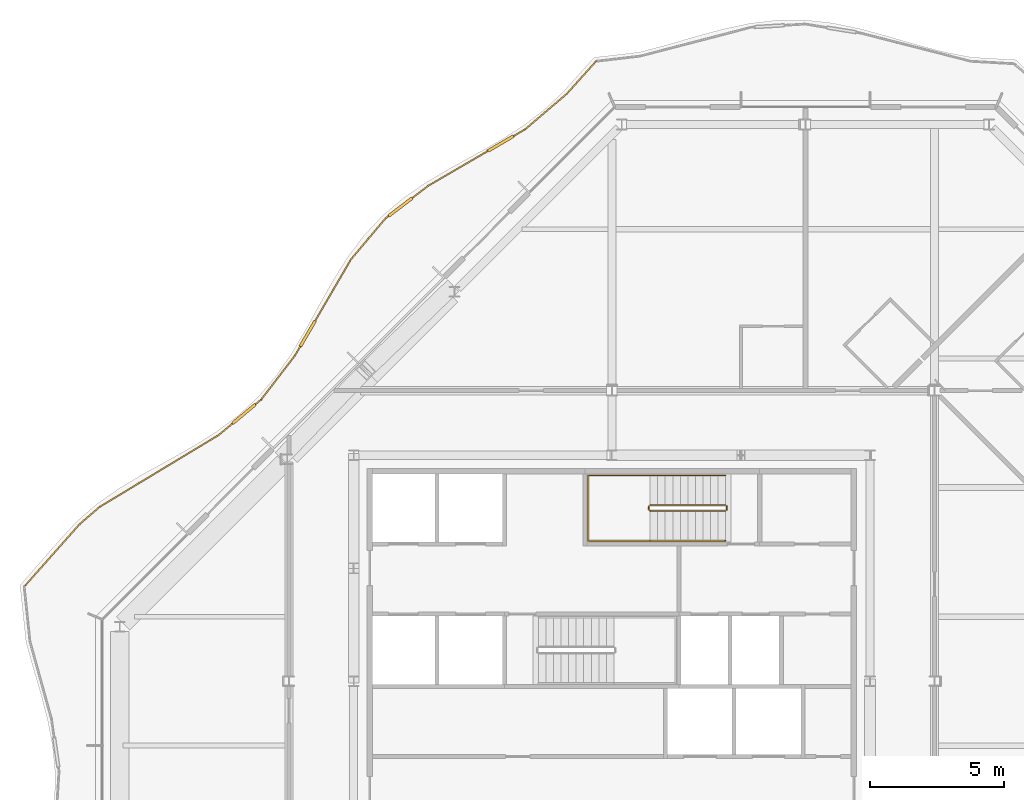
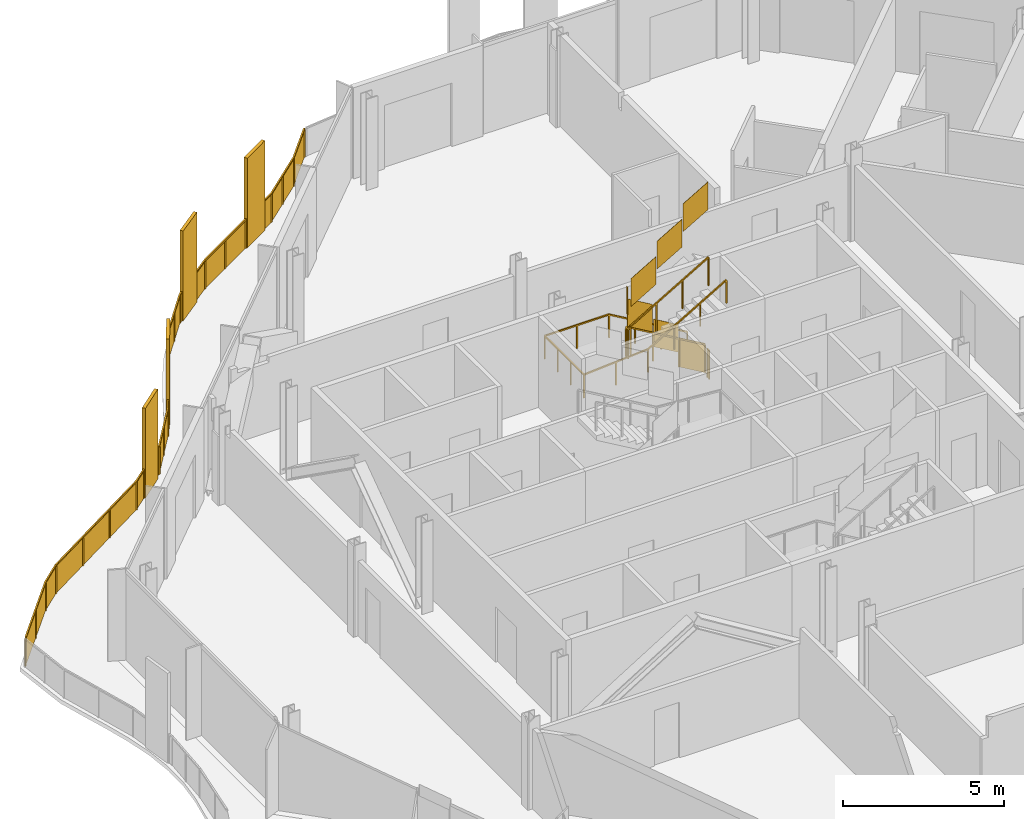
# One storey, part 15 of 16: 4 railings.
"""IFC4 building model written with IfcOpenShell, lengths in metres."""

from ifc_helpers import new_model, si_unit, direction, frame, origin, origin_2d, place, context, subcontext, project, spatial, polyline, rectangle, outline, extrude, material, type_object, element, save


model = new_model("IFC4")

# Units and contexts
model_context = context("Model", 3, precision=1e-05, world=origin(), true_north=direction((0.0, 1.0)))
body_context = subcontext(model_context, "Body", "Model", "MODEL_VIEW")
ifc_project = project(units=[si_unit("LENGTHUNIT", "METRE"), si_unit("AREAUNIT", "SQUARE_METRE"), si_unit("VOLUMEUNIT", "CUBIC_METRE"), si_unit("PLANEANGLEUNIT", "RADIAN"), si_unit("MASSUNIT", "GRAM", prefix="KILO")], contexts=[model_context])

# Site, building, storey
site_placement = place(None, origin())
site = spatial("IfcSite", under=ifc_project, at=site_placement, CompositionType="ELEMENT")
building_placement = place(site_placement, origin())
building = spatial("IfcBuilding", under=site, at=building_placement, Name="Cairn Pilgrim Tower", CompositionType="ELEMENT")
storey_placement = place(building_placement, frame((0.0, 0.0, 277.800048828125)))
storey = spatial("IfcBuildingStorey", under=building, at=storey_placement, Name="L71", CompositionType="ELEMENT", Elevation=277.800048828125)

# Railings
ifc_material_1 = material(Name="Bronze anodised aluminium rail, posts and fin screens with laminated glass infill", Category="aluminium")
railing_type_1 = type_object("IfcRailingType", Name="BALCONY GUARD WITH FIN SCREENS", PredefinedType="GUARDRAIL", material=ifc_material_1)
railing_1_placement = place(storey_placement, frame((6.613037109375, 25.452392578125, 0.0)))
element("IfcRailing", 1, at=railing_1_placement, inside=storey, type_object=railing_type_1, Name="Balcony guard BGF-6 with fin screens", PredefinedType="GUARDRAIL", context=body_context, shape_type="SweptSolid", body=[
    extrude(rectangle(XDim=0.050048828125, YDim=0.050048828125, at=origin_2d()), frame((0.0, 0.0, 1.0751953125), z_axis=(-0.667916155588, -0.74423652766, 0.0), x_axis=(0.74423652766, -0.667916155588, 0.0)), (0.0, 0.0, 1.0), 1.621826171875),
    extrude(rectangle(XDim=0.050048828125, YDim=0.050048828125, at=origin_2d()), frame((-1.083251953125, -1.20703125, 1.0751953125), z_axis=(-0.761085754894, -0.648651272794, 0.0), x_axis=(0.648651272794, -0.761085754894, 0.0)), (0.0, 0.0, 1.0), 2.041015625),
    extrude(rectangle(XDim=1.10009765625, YDim=0.110107421875, at=origin_2d()), frame((-3.544677734375, -3.060546875, 0.0), z_axis=(0.0, 0.0, 1.0), x_axis=(-0.863876705072, -0.503703323827, 0.0)), (0.0, 0.0, 1.0), 3.39990234375),
    extrude(rectangle(XDim=0.050048828125, YDim=0.050048828125, at=origin_2d()), frame((-2.63671875, -2.531005859375, 1.0751953125), z_axis=(-0.863876705072, -0.503703323827, 0.0), x_axis=(0.503703323827, -0.863876705072, 0.0)), (0.0, 0.0, 1.0), 0.501220703125),
    extrude(rectangle(XDim=0.050048828125, YDim=0.050048828125, at=origin_2d()), frame((-4.02001953125, -3.33740234375, 1.0751953125), z_axis=(-0.863876705072, -0.503703323827, 0.0), x_axis=(0.503703323827, -0.863876705072, 0.0)), (0.0, 0.0, 1.0), 2.562744140625),
    extrude(rectangle(XDim=1.10009765625, YDim=0.110107421875, at=origin_2d()), frame((-7.271240234375, -5.418701171875, 0.0), z_axis=(0.0, 0.0, 1.0), x_axis=(-0.795459687012, -0.606006506846, 0.0)), (0.0, 0.0, 1.0), 3.39990234375),
    extrude(rectangle(XDim=0.050048828125, YDim=0.050048828125, at=origin_2d()), frame((-6.23388671875, -4.62841796875, 1.0751953125), z_axis=(-0.795459687012, -0.606006506846, 0.0), x_axis=(0.606006506846, -0.795459687012, 0.0)), (0.0, 0.0, 1.0), 0.75390625),
    extrude(rectangle(XDim=0.050048828125, YDim=0.050048828125, at=origin_2d()), frame((-7.708740234375, -5.751953125, 1.0751953125), z_axis=(-0.795459687012, -0.606006506846, 0.0), x_axis=(0.606006506846, -0.795459687012, 0.0)), (0.0, 0.0, 1.0), 0.14990234375),
    extrude(rectangle(XDim=0.050048828125, YDim=0.050048828125, at=origin_2d()), frame((-7.827880859375, -5.8427734375, 1.0751953125), z_axis=(-0.64500088209, -0.764181825289, 0.0), x_axis=(0.764181825289, -0.64500088209, 0.0)), (0.0, 0.0, 1.0), 1.989013671875),
    extrude(rectangle(XDim=1.10009765625, YDim=0.110107421875, at=origin_2d()), frame((-10.72265625, -10.13037109375, 0.0), z_axis=(0.0, 0.0, 1.0), x_axis=(-0.503275672429, -0.864125915328, 0.0)), (0.0, 0.0, 1.0), 3.39990234375),
    extrude(rectangle(XDim=0.050048828125, YDim=0.050048828125, at=origin_2d()), frame((-9.11083984375, -7.36279296875, 1.0751953125), z_axis=(-0.503275672429, -0.864125915328, 0.0), x_axis=(0.864125915328, -0.503275672429, 0.0)), (0.0, 0.0, 1.0), 2.65283203125),
    extrude(rectangle(XDim=0.050048828125, YDim=0.050048828125, at=origin_2d()), frame((-10.99951171875, -10.605712890625, 1.0751953125), z_axis=(-0.503275672429, -0.864125915328, 0.0), x_axis=(0.864125915328, -0.503275672429, 0.0)), (0.0, 0.0, 1.0), 0.404052734375),
    extrude(rectangle(XDim=0.050048828125, YDim=0.050048828125, at=origin_2d()), frame((-11.202880859375, -10.954833984375, 1.0751953125), z_axis=(-0.60959590055, -0.792712329936, 0.0), x_axis=(0.792712329936, -0.60959590055, 0.0)), (0.0, 0.0, 1.0), 2.054443359375),
    extrude(rectangle(XDim=1.10009765625, YDim=0.110107421875, at=origin_2d()), frame((-13.09033203125, -13.1142578125, 0.0), z_axis=(0.0, 0.0, 1.0), x_axis=(-0.767311542051, -0.641274510202, 0.0)), (0.0, 0.0, 1.0), 3.39990234375),
    extrude(rectangle(XDim=0.050048828125, YDim=0.050048828125, at=origin_2d()), frame((-12.455322265625, -12.58349609375, 1.0751953125), z_axis=(-0.767311542051, -0.641274510202, 0.0), x_axis=(0.641274510202, -0.767311542051, 0.0)), (0.0, 0.0, 1.0), 0.277587890625),
    extrude(rectangle(XDim=0.050048828125, YDim=0.050048828125, at=origin_2d()), frame((-13.512451171875, -13.467041015625, 1.0751953125), z_axis=(-0.767311542051, -0.641274510202, 0.0), x_axis=(0.641274510202, -0.767311542051, 0.0)), (0.0, 0.0, 1.0), 0.669921875),
    extrude(rectangle(XDim=0.050048828125, YDim=0.050048828125, at=origin_2d()), frame((-14.0263671875, -13.896484375, 1.0751953125), z_axis=(-0.855991615861, -0.516989703548, 0.0), x_axis=(0.516989703548, -0.855991615861, 0.0)), (0.0, 0.0, 1.0), 5.177978515625),
    extrude(rectangle(XDim=0.050048828125, YDim=0.050048828125, at=origin_2d()), frame((-18.458740234375, -16.573486328125, 1.0751953125), z_axis=(-0.757663332249, -0.652645596756, 0.0), x_axis=(0.652645596756, -0.757663332249, 0.0)), (0.0, 0.0, 1.0), 0.985595703125),
    extrude(rectangle(XDim=0.050048828125, YDim=0.050048828125, at=origin_2d()), frame((-19.20556640625, -17.216796875, 1.0751953125), z_axis=(-0.663666711646, -0.74802840578, 0.0), x_axis=(0.74802840578, -0.663666711646, 0.0)), (0.0, 0.0, 1.0), 3.04443359375),
    extrude(rectangle(XDim=0.050048828125, YDim=0.050048828125, at=origin_2d()), origin(), (0.0, 0.0, 1.0), 1.050048828125),
    extrude(rectangle(XDim=0.050048828125, YDim=0.050048828125, at=origin_2d()), frame((-1.083251953125, -1.20703125, 0.0)), (0.0, 0.0, 1.0), 1.050048828125),
    extrude(rectangle(XDim=0.050048828125, YDim=0.050048828125, at=origin_2d()), frame((-1.85986328125, -1.869140625, 0.0)), (0.0, 0.0, 1.0), 1.050048828125),
    extrude(rectangle(XDim=0.050048828125, YDim=0.050048828125, at=origin_2d()), frame((-2.63671875, -2.531005859375, 0.0)), (0.0, 0.0, 1.0), 1.050048828125),
    extrude(rectangle(XDim=0.050048828125, YDim=0.050048828125, at=origin_2d()), frame((-3.048095703125, -2.770751953125, 0.0)), (0.0, 0.0, 1.0), 1.050048828125),
    extrude(rectangle(XDim=0.050048828125, YDim=0.050048828125, at=origin_2d()), frame((-4.04150390625, -3.35009765625, 0.0)), (0.0, 0.0, 1.0), 1.050048828125),
    extrude(rectangle(XDim=0.050048828125, YDim=0.050048828125, at=origin_2d()), frame((-5.1376953125, -3.9892578125, 0.0)), (0.0, 0.0, 1.0), 1.050048828125),
    extrude(rectangle(XDim=0.050048828125, YDim=0.050048828125, at=origin_2d()), frame((-6.23388671875, -4.62841796875, 0.0)), (0.0, 0.0, 1.0), 1.050048828125),
    extrude(rectangle(XDim=0.050048828125, YDim=0.050048828125, at=origin_2d()), frame((-6.813720703125, -5.070068359375, 0.0)), (0.0, 0.0, 1.0), 1.050048828125),
    extrude(rectangle(XDim=0.050048828125, YDim=0.050048828125, at=origin_2d()), frame((-7.728515625, -5.76708984375, 0.0)), (0.0, 0.0, 1.0), 1.050048828125),
    extrude(rectangle(XDim=0.050048828125, YDim=0.050048828125, at=origin_2d()), frame((-7.827880859375, -5.8427734375, 0.0)), (0.0, 0.0, 1.0), 1.050048828125),
    extrude(rectangle(XDim=0.050048828125, YDim=0.050048828125, at=origin_2d()), frame((-8.46923828125, -6.602783203125, 0.0)), (0.0, 0.0, 1.0), 1.050048828125),
    extrude(rectangle(XDim=0.050048828125, YDim=0.050048828125, at=origin_2d()), frame((-9.11083984375, -7.36279296875, 0.0)), (0.0, 0.0, 1.0), 1.050048828125),
    extrude(rectangle(XDim=0.050048828125, YDim=0.050048828125, at=origin_2d()), frame((-9.77197265625, -8.498046875, 0.0)), (0.0, 0.0, 1.0), 1.050048828125),
    extrude(rectangle(XDim=0.050048828125, YDim=0.050048828125, at=origin_2d()), frame((-10.433349609375, -9.633544921875, 0.0)), (0.0, 0.0, 1.0), 1.050048828125),
    extrude(rectangle(XDim=0.050048828125, YDim=0.050048828125, at=origin_2d()), frame((-11.01220703125, -10.62744140625, 0.0)), (0.0, 0.0, 1.0), 1.050048828125),
    extrude(rectangle(XDim=0.050048828125, YDim=0.050048828125, at=origin_2d()), frame((-11.202880859375, -10.954833984375, 0.0)), (0.0, 0.0, 1.0), 1.050048828125),
    extrude(rectangle(XDim=0.050048828125, YDim=0.050048828125, at=origin_2d()), frame((-11.8291015625, -11.76904296875, 0.0)), (0.0, 0.0, 1.0), 1.050048828125),
    extrude(rectangle(XDim=0.050048828125, YDim=0.050048828125, at=origin_2d()), frame((-12.455322265625, -12.58349609375, 0.0)), (0.0, 0.0, 1.0), 1.050048828125),
    extrude(rectangle(XDim=0.050048828125, YDim=0.050048828125, at=origin_2d()), frame((-12.649169921875, -12.745361328125, 0.0)), (0.0, 0.0, 1.0), 1.050048828125),
    extrude(rectangle(XDim=0.050048828125, YDim=0.050048828125, at=origin_2d()), frame((-13.531494140625, -13.48291015625, 0.0)), (0.0, 0.0, 1.0), 1.050048828125),
    extrude(rectangle(XDim=0.050048828125, YDim=0.050048828125, at=origin_2d()), frame((-14.0263671875, -13.896484375, 0.0)), (0.0, 0.0, 1.0), 1.050048828125),
    extrude(rectangle(XDim=0.050048828125, YDim=0.050048828125, at=origin_2d()), frame((-15.50390625, -14.788818359375, 0.0)), (0.0, 0.0, 1.0), 1.050048828125),
    extrude(rectangle(XDim=0.050048828125, YDim=0.050048828125, at=origin_2d()), frame((-16.981201171875, -15.68115234375, 0.0)), (0.0, 0.0, 1.0), 1.050048828125),
    extrude(rectangle(XDim=0.050048828125, YDim=0.050048828125, at=origin_2d()), frame((-18.458740234375, -16.573486328125, 0.0)), (0.0, 0.0, 1.0), 1.050048828125),
    extrude(rectangle(XDim=0.050048828125, YDim=0.050048828125, at=origin_2d()), frame((-19.20556640625, -17.216796875, 0.0)), (0.0, 0.0, 1.0), 1.050048828125),
    extrude(rectangle(XDim=0.050048828125, YDim=0.050048828125, at=origin_2d()), frame((-20.2158203125, -18.35546875, 0.0)), (0.0, 0.0, 1.0), 1.050048828125),
    extrude(rectangle(XDim=0.050048828125, YDim=0.050048828125, at=origin_2d()), frame((-21.22607421875, -19.494140625, 0.0)), (0.0, 0.0, 1.0), 1.050048828125),
    extrude(outline(polyline([(0.02490234375, 0.0), (1.596923828125, 0.0), (1.596923828125, 1.050048828125), (0.02490234375, 1.050048828125), (0.02490234375, 0.0)])), frame((0.00439453125, -0.00390625, 0.0), z_axis=(-0.74423652766, 0.667916155588, 0.0), x_axis=(-0.667916155588, -0.74423652766, 0.0)), (0.0, 0.0, 1.0), 0.011962890625),
    extrude(outline(polyline([(0.02490234375, 0.0), (0.99560546875, 0.0), (0.99560546875, 1.050048828125), (0.02490234375, 1.050048828125), (0.02490234375, 0.0)])), frame((-1.079345703125, -1.211669921875, 0.0), z_axis=(-0.648651272794, 0.761085754894, 0.0), x_axis=(-0.761085754894, -0.648651272794, 0.0)), (0.0, 0.0, 1.0), 0.011962890625),
    extrude(outline(polyline([(0.02490234375, 0.0), (0.99560546875, 0.0), (0.99560546875, 1.050048828125), (0.02490234375, 1.050048828125), (0.02490234375, 0.0)])), frame((-1.856201171875, -1.87353515625, 0.0), z_axis=(-0.648651272794, 0.761085754894, 0.0), x_axis=(-0.761085754894, -0.648651272794, 0.0)), (0.0, 0.0, 1.0), 0.011962890625),
    extrude(outline(polyline([(0.02490234375, 0.0), (0.451171875, 0.0), (0.451171875, 1.050048828125), (0.02490234375, 1.050048828125), (0.02490234375, 0.0)])), frame((-2.6337890625, -2.5361328125, 0.0), z_axis=(-0.503703323827, 0.863876705072, 0.0), x_axis=(-0.863876705072, -0.503703323827, 0.0)), (0.0, 0.0, 1.0), 0.011962890625),
    extrude(outline(polyline([(0.02490234375, 0.0), (1.243896484375, 0.0), (1.243896484375, 1.050048828125), (0.02490234375, 1.050048828125), (0.02490234375, 0.0)])), frame((-4.03857421875, -3.355224609375, 0.0), z_axis=(-0.503703323827, 0.863876705072, 0.0), x_axis=(-0.863876705072, -0.503703323827, 0.0)), (0.0, 0.0, 1.0), 0.011962890625),
    extrude(outline(polyline([(0.02490234375, 0.0), (1.243896484375, 0.0), (1.243896484375, 1.050048828125), (0.02490234375, 1.050048828125), (0.02490234375, 0.0)])), frame((-5.134765625, -3.994384765625, 0.0), z_axis=(-0.503703323827, 0.863876705072, 0.0), x_axis=(-0.863876705072, -0.503703323827, 0.0)), (0.0, 0.0, 1.0), 0.011962890625),
    extrude(outline(polyline([(0.02490234375, 0.0), (0.703857421875, 0.0), (0.703857421875, 1.050048828125), (0.02490234375, 1.050048828125), (0.02490234375, 0.0)])), frame((-6.230224609375, -4.633056640625, 0.0), z_axis=(-0.606006506846, 0.795459687012, 0.0), x_axis=(-0.795459687012, -0.606006506846, 0.0)), (0.0, 0.0, 1.0), 0.011962890625),
    extrude(outline(polyline([(0.02490234375, 0.0), (0.099853515625, 0.0), (0.099853515625, 1.050048828125), (0.02490234375, 1.050048828125), (0.02490234375, 0.0)])), frame((-7.724853515625, -5.77197265625, 0.0), z_axis=(-0.606006506846, 0.795459687012, 0.0), x_axis=(-0.795459687012, -0.606006506846, 0.0)), (0.0, 0.0, 1.0), 0.011962890625),
    extrude(outline(polyline([(0.02490234375, 0.0), (0.969482421875, 0.0), (0.969482421875, 1.050048828125), (0.02490234375, 1.050048828125), (0.02490234375, 0.0)])), frame((-7.8232421875, -5.8466796875, 0.0), z_axis=(-0.764181825289, 0.64500088209, 0.0), x_axis=(-0.64500088209, -0.764181825289, 0.0)), (0.0, 0.0, 1.0), 0.011962890625),
    extrude(outline(polyline([(0.02490234375, 0.0), (0.969482421875, 0.0), (0.969482421875, 1.050048828125), (0.02490234375, 1.050048828125), (0.02490234375, 0.0)])), frame((-8.46484375, -6.606689453125, 0.0), z_axis=(-0.764181825289, 0.64500088209, 0.0), x_axis=(-0.64500088209, -0.764181825289, 0.0)), (0.0, 0.0, 1.0), 0.011962890625),
    extrude(outline(polyline([(0.02490234375, 0.0), (1.288818359375, 0.0), (1.288818359375, 1.050048828125), (0.02490234375, 1.050048828125), (0.02490234375, 0.0)])), frame((-9.105712890625, -7.36572265625, 0.0), z_axis=(-0.864125915328, 0.503275672429, 0.0), x_axis=(-0.503275672429, -0.864125915328, 0.0)), (0.0, 0.0, 1.0), 0.011962890625),
    extrude(outline(polyline([(0.02490234375, 0.0), (1.288818359375, 0.0), (1.288818359375, 1.050048828125), (0.02490234375, 1.050048828125), (0.02490234375, 0.0)])), frame((-9.766845703125, -8.501220703125, 0.0), z_axis=(-0.864125915328, 0.503275672429, 0.0), x_axis=(-0.503275672429, -0.864125915328, 0.0)), (0.0, 0.0, 1.0), 0.011962890625),
    extrude(outline(polyline([(0.02490234375, 0.0), (0.35400390625, 0.0), (0.35400390625, 1.050048828125), (0.02490234375, 1.050048828125), (0.02490234375, 0.0)])), frame((-11.007080078125, -10.63037109375, 0.0), z_axis=(-0.864125915328, 0.503275672429, 0.0), x_axis=(-0.503275672429, -0.864125915328, 0.0)), (0.0, 0.0, 1.0), 0.011962890625),
    extrude(outline(polyline([(0.02490234375, 0.0), (1.002197265625, 0.0), (1.002197265625, 1.050048828125), (0.02490234375, 1.050048828125), (0.02490234375, 0.0)])), frame((-11.1982421875, -10.95849609375, 0.0), z_axis=(-0.792712329936, 0.60959590055, 0.0), x_axis=(-0.60959590055, -0.792712329936, 0.0)), (0.0, 0.0, 1.0), 0.011962890625),
    extrude(outline(polyline([(0.02490234375, 0.0), (1.002197265625, 0.0), (1.002197265625, 1.050048828125), (0.02490234375, 1.050048828125), (0.02490234375, 0.0)])), frame((-11.824462890625, -11.772705078125, 0.0), z_axis=(-0.792712329936, 0.60959590055, 0.0), x_axis=(-0.60959590055, -0.792712329936, 0.0)), (0.0, 0.0, 1.0), 0.011962890625),
    extrude(outline(polyline([(0.02490234375, 0.0), (0.2275390625, 0.0), (0.2275390625, 1.050048828125), (0.02490234375, 1.050048828125), (0.02490234375, 0.0)])), frame((-12.451416015625, -12.588134765625, 0.0), z_axis=(-0.641274510202, 0.767311542051, 0.0), x_axis=(-0.767311542051, -0.641274510202, 0.0)), (0.0, 0.0, 1.0), 0.011962890625),
    extrude(outline(polyline([(0.02490234375, 0.0), (0.619873046875, 0.0), (0.619873046875, 1.050048828125), (0.02490234375, 1.050048828125), (0.02490234375, 0.0)])), frame((-13.52783203125, -13.487548828125, 0.0), z_axis=(-0.641274510202, 0.767311542051, 0.0), x_axis=(-0.767311542051, -0.641274510202, 0.0)), (0.0, 0.0, 1.0), 0.011962890625),
    extrude(outline(polyline([(0.02490234375, 0.0), (1.700927734375, 0.0), (1.700927734375, 1.050048828125), (0.02490234375, 1.050048828125), (0.02490234375, 0.0)])), frame((-14.023193359375, -13.901611328125, 0.0), z_axis=(-0.516989703548, 0.855991615861, 0.0), x_axis=(-0.855991615861, -0.516989703548, 0.0)), (0.0, 0.0, 1.0), 0.011962890625),
    extrude(outline(polyline([(0.02490234375, 0.0), (1.700927734375, 0.0), (1.700927734375, 1.050048828125), (0.02490234375, 1.050048828125), (0.02490234375, 0.0)])), frame((-15.500732421875, -14.7939453125, 0.0), z_axis=(-0.516989703548, 0.855991615861, 0.0), x_axis=(-0.855991615861, -0.516989703548, 0.0)), (0.0, 0.0, 1.0), 0.011962890625),
    extrude(outline(polyline([(0.02490234375, 0.0), (1.700927734375, 0.0), (1.700927734375, 1.050048828125), (0.02490234375, 1.050048828125), (0.02490234375, 0.0)])), frame((-16.978271484375, -15.686279296875, 0.0), z_axis=(-0.516989703548, 0.855991615861, 0.0), x_axis=(-0.855991615861, -0.516989703548, 0.0)), (0.0, 0.0, 1.0), 0.011962890625),
    extrude(outline(polyline([(0.02490234375, 0.0), (0.960693359375, 0.0), (0.960693359375, 1.050048828125), (0.02490234375, 1.050048828125), (0.02490234375, 0.0)])), frame((-18.454833984375, -16.578125, 0.0), z_axis=(-0.652645596756, 0.757663332249, 0.0), x_axis=(-0.757663332249, -0.652645596756, 0.0)), (0.0, 0.0, 1.0), 0.011962890625),
    extrude(outline(polyline([(0.02490234375, 0.0), (1.497314453125, 0.0), (1.497314453125, 1.050048828125), (0.02490234375, 1.050048828125), (0.02490234375, 0.0)])), frame((-19.201171875, -17.220703125, 0.0), z_axis=(-0.74802840578, 0.663666711646, 0.0), x_axis=(-0.663666711646, -0.74802840578, 0.0)), (0.0, 0.0, 1.0), 0.011962890625),
    extrude(outline(polyline([(0.02490234375, 0.0), (1.497314453125, 0.0), (1.497314453125, 1.050048828125), (0.02490234375, 1.050048828125), (0.02490234375, 0.0)])), frame((-20.21142578125, -18.359375, 0.0), z_axis=(-0.74802840578, 0.663666711646, 0.0), x_axis=(-0.663666711646, -0.74802840578, 0.0)), (0.0, 0.0, 1.0), 0.011962890625),
])
ifc_material_2 = material(Name="Painted steel", Category="steel")
railing_type_2 = type_object("IfcRailingType", Name="STAIR GUARD 1100", PredefinedType="GUARDRAIL", material=ifc_material_2)
railing_2_placement = place(storey_placement, frame((11.425048828125, 8.949951171875, 0.16357421875)))
element("IfcRailing", 2, at=railing_2_placement, inside=storey, type_object=railing_type_2, Name="L71 ST-C stair guard 1", PredefinedType="GUARDRAIL", context=body_context, shape_type="SweptSolid", body=[
    extrude(rectangle(XDim=0.048095703125, YDim=0.048095703125, at=origin_2d()), frame((0.0, 0.0, 1.076171875), z_axis=(-0.863360870873, 0.0, 0.504586966384), x_axis=(0.0, -1.0, 0.0)), (0.0, 0.0, 1.0), 3.2431640625),
    extrude(rectangle(XDim=0.048095703125, YDim=0.048095703125, at=origin_2d()), frame((-2.800048828125, 0.0, 2.71240234375), z_axis=(-0.707106781187, -0.707106781187, 0.0), x_axis=(0.707106781187, -0.707106781187, 0.0)), (0.0, 0.0, 1.0), 0.07080078125),
    extrude(rectangle(XDim=0.048095703125, YDim=0.048095703125, at=origin_2d()), frame((-2.85009765625, -0.050048828125, 2.71240234375), z_axis=(0.0, -1.0, 0.0), x_axis=(1.0, 0.0, 0.0)), (0.0, 0.0, 1.0), 0.125),
    extrude(rectangle(XDim=0.048095703125, YDim=0.048095703125, at=origin_2d()), frame((-2.85009765625, -0.175048828125, 2.71240234375), z_axis=(0.280916556609, -0.279546231943, 0.91811752648), x_axis=(0.705375805398, 0.708833529934, 0.0)), (0.0, 0.0, 1.0), 0.17822265625),
    extrude(rectangle(XDim=0.048095703125, YDim=0.048095703125, at=origin_2d()), frame((-2.800048828125, -0.224853515625, 2.8759765625), z_axis=(0.863393664356, 0.0, 0.504530851732), x_axis=(0.0, 1.0, 0.0)), (0.0, 0.0, 1.0), 3.2431640625),
    extrude(rectangle(XDim=0.0419921875, YDim=0.0419921875, at=origin_2d()), origin(), (0.0, 0.0, 1.0), 1.052001953125),
    extrude(rectangle(XDim=0.0419921875, YDim=0.0419921875, at=origin_2d()), frame((-0.933349609375, 0.0, 0.54541015625)), (0.0, 0.0, 1.0), 1.052001953125),
    extrude(rectangle(XDim=0.0419921875, YDim=0.0419921875, at=origin_2d()), frame((-1.86669921875, 0.0, 1.091064453125)), (0.0, 0.0, 1.0), 1.052001953125),
    extrude(rectangle(XDim=0.0419921875, YDim=0.0419921875, at=origin_2d()), frame((-2.800048828125, 0.0, 1.636474609375)), (0.0, 0.0, 1.0), 1.052001953125),
    extrude(rectangle(XDim=0.0419921875, YDim=0.0419921875, at=origin_2d()), frame((-2.85009765625, -0.050048828125, 1.636474609375)), (0.0, 0.0, 1.0), 1.052001953125),
    extrude(rectangle(XDim=0.0419921875, YDim=0.0419921875, at=origin_2d()), frame((-2.85009765625, -0.175048828125, 1.636474609375)), (0.0, 0.0, 1.0), 1.052001953125),
    extrude(rectangle(XDim=0.0419921875, YDim=0.0419921875, at=origin_2d()), frame((-2.800048828125, -0.224853515625, 1.800048828125)), (0.0, 0.0, 1.0), 1.052001953125),
    extrude(rectangle(XDim=0.0419921875, YDim=0.0419921875, at=origin_2d()), frame((-1.86669921875, -0.224853515625, 2.345458984375)), (0.0, 0.0, 1.0), 1.052001953125),
    extrude(rectangle(XDim=0.0419921875, YDim=0.0419921875, at=origin_2d()), frame((-0.933349609375, -0.224853515625, 2.890869140625)), (0.0, 0.0, 1.0), 1.052001953125),
    extrude(rectangle(XDim=0.0419921875, YDim=0.0419921875, at=origin_2d()), frame((0.0, -0.224853515625, 3.436279296875)), (0.0, 0.0, 1.0), 1.052001953125),
    extrude(outline(polyline([(0.02099609375, 0.01220703125), (0.912353515625, 0.533203125), (0.912353515625, 1.585205078125), (0.02099609375, 1.064208984375), (0.02099609375, 0.01220703125)])), frame((0.0, -0.005859375, 0.0), z_axis=(0.0, 1.0, 0.0), x_axis=(-1.0, 0.0, 0.0)), (0.0, 0.0, 1.0), 0.011962890625),
    extrude(outline(polyline([(0.02099609375, 0.557861328125), (0.912353515625, 1.07861328125), (0.912353515625, 2.130615234375), (0.02099609375, 1.60986328125), (0.02099609375, 0.557861328125)])), frame((-0.933349609375, -0.005859375, 0.54541015625), z_axis=(0.0, 1.0, 0.0), x_axis=(-1.0, 0.0, 0.0)), (0.0, 0.0, 1.0), 0.011962890625),
    extrude(outline(polyline([(0.02099609375, 1.103271484375), (0.912353515625, 1.624267578125), (0.912353515625, 2.67626953125), (0.02099609375, 2.1552734375), (0.02099609375, 1.103271484375)])), frame((-1.86669921875, -0.005859375, 1.091064453125), z_axis=(0.0, 1.0, 0.0), x_axis=(-1.0, 0.0, 0.0)), (0.0, 0.0, 1.0), 0.011962890625),
    extrude(outline(polyline([(0.02099609375, 1.636474609375), (0.10400390625, 1.636474609375), (0.10400390625, 2.6884765625), (0.02099609375, 2.6884765625), (0.02099609375, 1.636474609375)])), frame((-2.84423828125, -0.050048828125, 1.636474609375), z_axis=(-1.0, 0.0, 0.0), x_axis=(0.0, -1.0, 0.0)), (0.0, 0.0, 1.0), 0.011962890625),
    extrude(outline(polyline([(0.02099609375, 1.812255859375), (0.912353515625, 2.333251953125), (0.912353515625, 3.38525390625), (0.02099609375, 2.8642578125), (0.02099609375, 1.812255859375)])), frame((-2.800048828125, -0.21875, 1.800048828125), z_axis=(0.0, -1.0, 0.0), x_axis=(1.0, 0.0, 0.0)), (0.0, 0.0, 1.0), 0.011962890625),
    extrude(outline(polyline([(0.02099609375, 2.357666015625), (0.912353515625, 2.878662109375), (0.912353515625, 3.9306640625), (0.02099609375, 3.40966796875), (0.02099609375, 2.357666015625)])), frame((-1.86669921875, -0.21875, 2.345458984375), z_axis=(0.0, -1.0, 0.0), x_axis=(1.0, 0.0, 0.0)), (0.0, 0.0, 1.0), 0.011962890625),
    extrude(outline(polyline([(0.02099609375, 2.903076171875), (0.912353515625, 3.424072265625), (0.912353515625, 4.47607421875), (0.02099609375, 3.955078125), (0.02099609375, 2.903076171875)])), frame((-0.933349609375, -0.21875, 2.890869140625), z_axis=(0.0, -1.0, 0.0), x_axis=(1.0, 0.0, 0.0)), (0.0, 0.0, 1.0), 0.011962890625),
])
railing_3_placement = place(storey_placement, frame((11.47509765625, 8.89990234375, 0.0)))
element("IfcRailing", 3, at=railing_3_placement, inside=storey, type_object=railing_type_2, Name="L71 ST-C stair guard 2", PredefinedType="GUARDRAIL", context=body_context, shape_type="SweptSolid", body=[
    extrude(rectangle(XDim=0.048095703125, YDim=0.048095703125, at=origin_2d()), frame((0.0, 0.0, 1.076171875), z_axis=(0.0, -1.0, 0.0), x_axis=(1.0, 0.0, 0.0)), (0.0, 0.0, 1.0), 0.125),
    extrude(rectangle(XDim=0.0419921875, YDim=0.0419921875, at=origin_2d()), origin(), (0.0, 0.0, 1.0), 1.052001953125),
    extrude(rectangle(XDim=0.0419921875, YDim=0.0419921875, at=origin_2d()), frame((0.0, -0.125, 0.0)), (0.0, 0.0, 1.0), 1.052001953125),
    extrude(outline(polyline([(0.02099609375, 0.0), (0.10400390625, 0.0), (0.10400390625, 1.052001953125), (0.02099609375, 1.052001953125), (0.02099609375, 0.0)])), frame((0.005859375, 0.0, 0.0), z_axis=(-1.0, 0.0, 0.0), x_axis=(0.0, -1.0, 0.0)), (0.0, 0.0, 1.0), 0.011962890625),
])
railing_type_3 = type_object("IfcRailingType", Name="STAIR HANDRAIL 900", PredefinedType="HANDRAIL", material=ifc_material_2)
railing_4_placement = place(storey_placement, frame((11.425048828125, 10.050048828125, 0.16357421875)))
element("IfcRailing", 4, at=railing_4_placement, inside=storey, type_object=railing_type_3, Name="L71 ST-C stair handrail 1", PredefinedType="HANDRAIL", context=body_context, shape_type="SweptSolid", body=[
    extrude(rectangle(XDim=0.048095703125, YDim=0.048095703125, at=origin_2d()), frame((0.0, 0.0, 0.8759765625), z_axis=(-0.863360870873, 0.0, 0.504586966384), x_axis=(0.0, -1.0, 0.0)), (0.0, 0.0, 1.0), 3.2431640625),
    extrude(rectangle(XDim=0.048095703125, YDim=0.048095703125, at=origin_2d()), frame((-2.800048828125, 0.0, 2.51220703125), z_axis=(-1.0, 0.0, 0.0), x_axis=(0.0, -1.0, 0.0)), (0.0, 0.0, 1.0), 2.300048828125),
    extrude(rectangle(XDim=0.048095703125, YDim=0.048095703125, at=origin_2d()), frame((-5.10009765625, 0.0, 2.51220703125), z_axis=(0.0, -1.0, 0.0), x_axis=(1.0, 0.0, 0.0)), (0.0, 0.0, 1.0), 2.425048828125),
    extrude(rectangle(XDim=0.048095703125, YDim=0.048095703125, at=origin_2d()), frame((-5.10009765625, -2.425048828125, 2.51220703125), z_axis=(0.997480687736, 0.0, 0.070938548008), x_axis=(0.0, 1.0, 0.0)), (0.0, 0.0, 1.0), 2.305908203125),
    extrude(rectangle(XDim=0.048095703125, YDim=0.048095703125, at=origin_2d()), frame((-2.800048828125, -2.425048828125, 2.67578125), z_axis=(0.863393664356, 0.0, 0.504530851732), x_axis=(0.0, 1.0, 0.0)), (0.0, 0.0, 1.0), 3.2431640625),
    extrude(rectangle(XDim=0.0419921875, YDim=0.0419921875, at=origin_2d()), origin(), (0.0, 0.0, 1.0), 0.851806640625),
    extrude(rectangle(XDim=0.0419921875, YDim=0.0419921875, at=origin_2d()), frame((-0.933349609375, 0.0, 0.54541015625)), (0.0, 0.0, 1.0), 0.851806640625),
    extrude(rectangle(XDim=0.0419921875, YDim=0.0419921875, at=origin_2d()), frame((-1.86669921875, 0.0, 1.091064453125)), (0.0, 0.0, 1.0), 0.851806640625),
    extrude(rectangle(XDim=0.0419921875, YDim=0.0419921875, at=origin_2d()), frame((-2.800048828125, 0.0, 1.636474609375)), (0.0, 0.0, 1.0), 0.851806640625),
    extrude(rectangle(XDim=0.0419921875, YDim=0.0419921875, at=origin_2d()), frame((-3.9501953125, 0.0, 1.636474609375)), (0.0, 0.0, 1.0), 0.851806640625),
    extrude(rectangle(XDim=0.0419921875, YDim=0.0419921875, at=origin_2d()), frame((-5.10009765625, 0.0, 1.636474609375)), (0.0, 0.0, 1.0), 0.851806640625),
    extrude(rectangle(XDim=0.0419921875, YDim=0.0419921875, at=origin_2d()), frame((-5.10009765625, -0.808349609375, 1.636474609375)), (0.0, 0.0, 1.0), 0.851806640625),
    extrude(rectangle(XDim=0.0419921875, YDim=0.0419921875, at=origin_2d()), frame((-5.10009765625, -1.61669921875, 1.636474609375)), (0.0, 0.0, 1.0), 0.851806640625),
    extrude(rectangle(XDim=0.0419921875, YDim=0.0419921875, at=origin_2d()), frame((-5.10009765625, -2.425048828125, 1.636474609375)), (0.0, 0.0, 1.0), 0.851806640625),
    extrude(rectangle(XDim=0.0419921875, YDim=0.0419921875, at=origin_2d()), frame((-3.9501953125, -2.425048828125, 1.71826171875)), (0.0, 0.0, 1.0), 0.851806640625),
    extrude(rectangle(XDim=0.0419921875, YDim=0.0419921875, at=origin_2d()), frame((-2.800048828125, -2.425048828125, 1.800048828125)), (0.0, 0.0, 1.0), 0.851806640625),
    extrude(rectangle(XDim=0.0419921875, YDim=0.0419921875, at=origin_2d()), frame((-1.86669921875, -2.425048828125, 2.345458984375)), (0.0, 0.0, 1.0), 0.851806640625),
    extrude(rectangle(XDim=0.0419921875, YDim=0.0419921875, at=origin_2d()), frame((-0.933349609375, -2.425048828125, 2.890869140625)), (0.0, 0.0, 1.0), 0.851806640625),
    extrude(rectangle(XDim=0.0419921875, YDim=0.0419921875, at=origin_2d()), frame((0.0, -2.425048828125, 3.436279296875)), (0.0, 0.0, 1.0), 0.851806640625),
])

save(model, "model.ifc")
